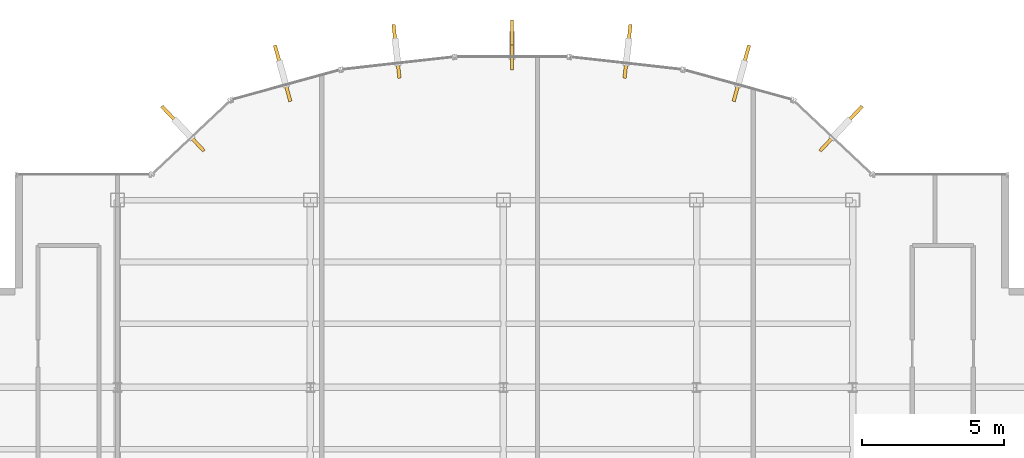
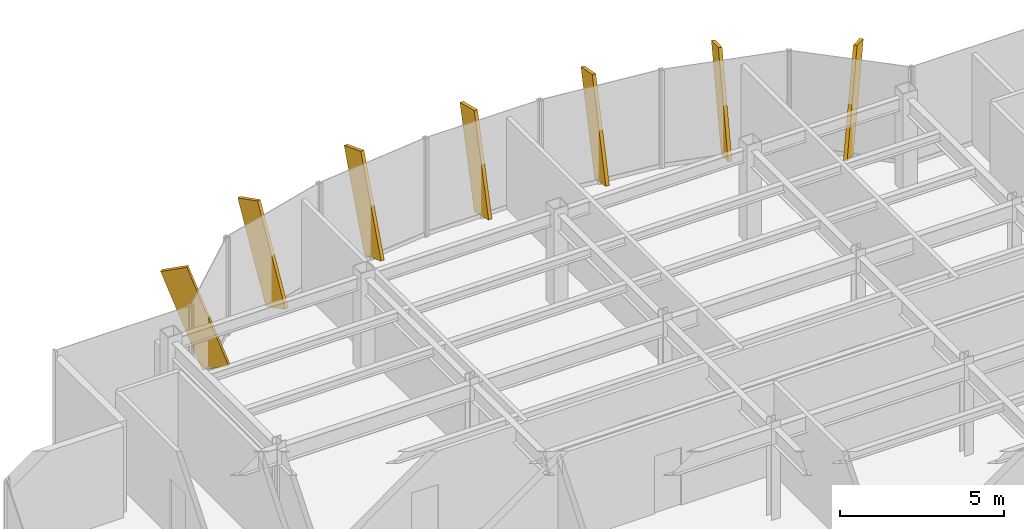
# One storey, part 21 of 22: 7 shading devices.
"""IFC4 building model written with IfcOpenShell, lengths in metres."""

from ifc_helpers import new_model, si_unit, derived_unit, direction, frame, origin, origin_2d, place, context, subcontext, project, spatial, rectangle, extrude, source, transform, mapped, material, type_object, element, save


model = new_model("IFC4")

# Units and contexts
model_context = context("Model", 3, precision=1e-05, world=origin(), true_north=direction((0.0, 1.0)))
body_context = subcontext(model_context, "Body", "Model", "MODEL_VIEW")
ifc_project = project(units=[si_unit("LENGTHUNIT", "METRE"), si_unit("AREAUNIT", "SQUARE_METRE"), si_unit("VOLUMEUNIT", "CUBIC_METRE"), si_unit("PLANEANGLEUNIT", "RADIAN"), si_unit("MASSUNIT", "GRAM", prefix="KILO"), derived_unit("THERMALTRANSMITTANCEUNIT", [(si_unit("POWERUNIT", "WATT"), 1), (si_unit("LENGTHUNIT", "METRE"), -2), (si_unit("THERMODYNAMICTEMPERATUREUNIT", "KELVIN"), -1)])], contexts=[model_context])

# Site, building, storey
site_placement = place(None, origin())
site = spatial("IfcSite", under=ifc_project, at=site_placement, CompositionType="ELEMENT")
building_placement = place(site_placement, origin())
building = spatial("IfcBuilding", under=site, at=building_placement, Name="Skarnbrae Concourse Arena and Tower", CompositionType="ELEMENT")
storey_placement = place(building_placement, frame((0.0, 0.0, 273.39990234375)))
storey = spatial("IfcBuildingStorey", under=building, at=storey_placement, Name="L71", CompositionType="ELEMENT", Elevation=273.39990234375)

# Shading devices
ifc_material = material(Name="Bronze anodised aluminium 6063-T6", Category="aluminium")
shading_device_type = type_object("IfcShadingDeviceType", Name="SHD-BRONZE-FIN-900", PredefinedType="USERDEFINED", material=ifc_material)
shared_shape = source(origin(), body_context, "Body", "SweptSolid", [
    extrude(rectangle(XDim=0.1201171875, YDim=0.89990234375, at=origin_2d()), origin(), (0.0, 0.0, 1.0), 3.64990234375),
])
for number, where, z_axis, x_axis, name in (
    (1, (32.63720703125, 36.435302734375, 0.12548828125), (0.249654525872, 0.265205022033, 0.931310320999), (0.728131751529, -0.685437198009, 0.0), "L71 Outward-leaning bronze shading fin 08"),
    (2, (29.419921875, 38.288330078125, 0.1015625), (0.087333025047, 0.316887720193, 0.944433753911), (0.964058316208, -0.265690728011, 0.0), "L71 Outward-leaning bronze shading fin 09"),
    (3, (25.51025390625, 39.12060546875, 0.076416015625), (0.031877702712, 0.284240906458, 0.95822279203), (0.993769864509, -0.111451587667, 0.0), "L71 Outward-leaning bronze shading fin 10"),
    (4, (21.5, 39.42529296875, 0.054443359375), (0.0, 0.2419218956, 0.970295726276), (1.0, 0.0, 0.0), "L71 Outward-leaning bronze shading fin 11"),
    (5, (17.48974609375, 39.12060546875, 0.076416015625), (-0.031877702712, 0.284240906458, 0.95822279203), (0.993769864509, 0.111451587667, 0.0), "L71 Outward-leaning bronze shading fin 12"),
    (6, (13.580078125, 38.288330078125, 0.1015625), (-0.087333025047, 0.316887720193, 0.944433753911), (0.964058316208, 0.265690728011, 0.0), "L71 Outward-leaning bronze shading fin 13"),
    (7, (10.36279296875, 36.435302734375, 0.12548828125), (-0.249654525872, 0.265205022033, 0.931310320999), (0.728131751529, 0.685437198009, 0.0), "L71 Outward-leaning bronze shading fin 14"),
):
    element("IfcShadingDevice", number, at=place(storey_placement, frame(where, z_axis=z_axis, x_axis=x_axis)), inside=storey, type_object=shading_device_type, Name=name, ObjectType="FIN", PredefinedType="USERDEFINED", context=body_context, shape_type="MappedRepresentation", body=[
        mapped(shared_shape, transform((0.0, 0.0, 0.0))),
    ])

save(model, "model.ifc")
